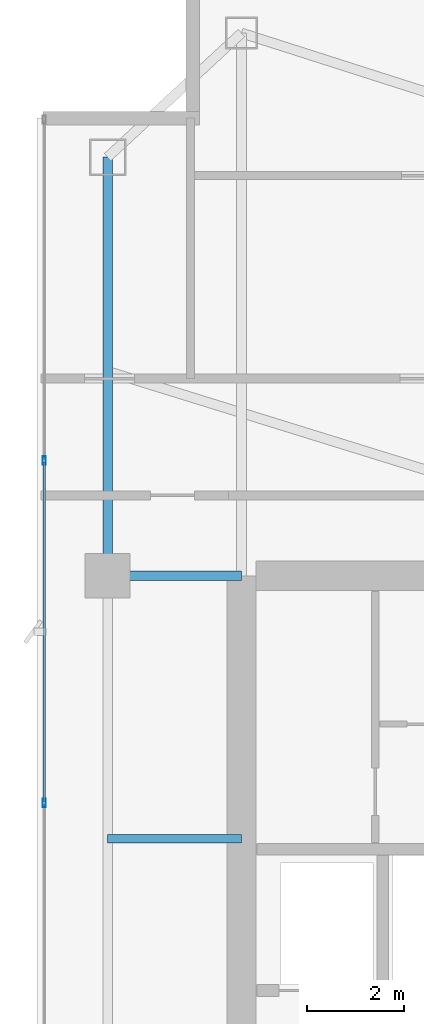
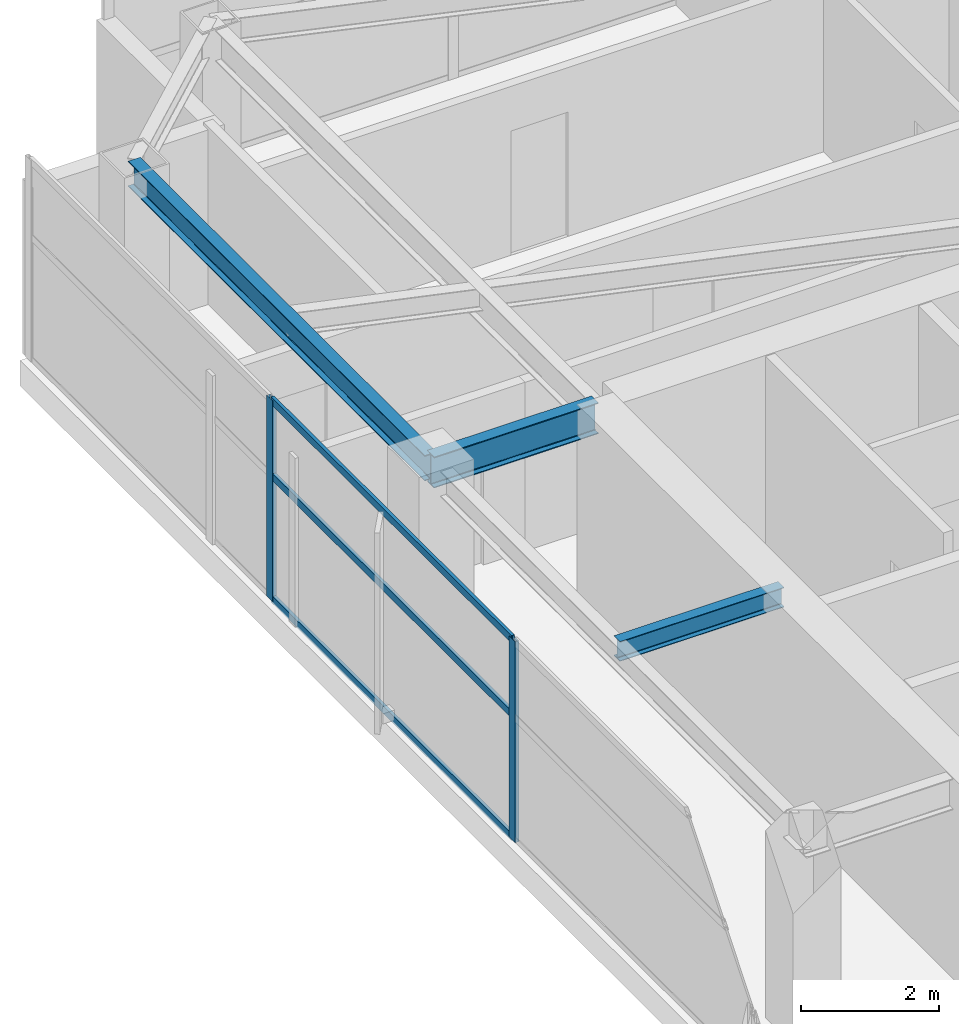
# One storey, part 16 of 27: 5 members, 3 beams, 1 element without a shape of its own.
"""IFC4 building model written with IfcOpenShell, lengths in metres."""

from ifc_helpers import new_model, si_unit, direction, frame, origin, origin_2d, place, context, subcontext, project, spatial, hollow_rectangle, i_section, extrude, material, layer, layer_set, material_profile, profile_set, type_object, element, aggregate, save


model = new_model("IFC4")

# Units and contexts
model_context = context("Model", 3, precision=1e-05, world=origin(), true_north=direction((0.0, 1.0)))
body_context = subcontext(model_context, "Body", "Model", "MODEL_VIEW")
ifc_project = project(units=[si_unit("LENGTHUNIT", "METRE"), si_unit("AREAUNIT", "SQUARE_METRE"), si_unit("VOLUMEUNIT", "CUBIC_METRE"), si_unit("PLANEANGLEUNIT", "RADIAN"), si_unit("MASSUNIT", "GRAM", prefix="KILO")], contexts=[model_context])

# Site, building, storey
site_placement = place(None, origin())
site = spatial("IfcSite", under=ifc_project, at=site_placement, CompositionType="ELEMENT")
building_placement = place(site_placement, origin())
building = spatial("IfcBuilding", under=site, at=building_placement, Name="Calvorn Quay Hotel", CompositionType="ELEMENT")
storey_placement = place(building_placement, frame((0.0, 0.0, 287.300048828125)))
storey = spatial("IfcBuildingStorey", under=building, at=storey_placement, Name="L71", CompositionType="ELEMENT", Elevation=287.300048828125)

# Beams
ifc_material_1 = material(Name="Steel Q355B", Category="steel")
ifc_material_profile_1 = material_profile(ifc_material_1, i_section(OverallWidth=0.199951171875, OverallDepth=0.550048828125, WebThickness=0.010009765625, FlangeThickness=0.01611328125, FilletRadius=0.01806640625, at=origin_2d()), Name="HN550x200x10x16")
ifc_profile_set_1 = profile_set([ifc_material_profile_1], Name="Steel Q355B")
beam_type_1 = type_object("IfcBeamType", Name="BM-GIRD-UPP", PredefinedType="BEAM", material=ifc_profile_set_1)
beam_1_placement = place(storey_placement, frame((1.449951171875, 38.39990234375, 3.264892578125), z_axis=(1.0, 0.0, 0.0), x_axis=(0.0, 1.0, 0.0)))
element("IfcBeam", 1, at=beam_1_placement, inside=storey, type_object=beam_type_1, Name="Beam BG-L71-W3", PredefinedType="BEAM", context=body_context, shape_type="SweptSolid", body=[
    extrude(i_section(OverallWidth=0.199951171875, OverallDepth=0.550048828125, WebThickness=0.010009765625, FlangeThickness=0.01611328125, FilletRadius=0.01806640625, at=origin_2d()), origin(), (0.0, 0.0, 1.0), 2.75),
])
ifc_material_2 = material(Name="Steel Q355B", Category="steel")
ifc_material_profile_2 = material_profile(ifc_material_2, i_section(OverallWidth=0.175048828125, OverallDepth=0.35009765625, WebThickness=0.007080078125, FlangeThickness=0.010986328125, FilletRadius=0.013916015625, at=origin_2d()), Name="HN350x175x7x11")
ifc_profile_set_2 = profile_set([ifc_material_profile_2], Name="Steel Q355B")
beam_type_2 = type_object("IfcBeamType", Name="BM-JOIST-SEC", PredefinedType="JOIST", material=ifc_profile_set_2)
beam_2_placement = place(storey_placement, frame((1.449951171875, 33.0, 3.364990234375), z_axis=(1.0, 0.0, 0.0), x_axis=(0.0, 1.0, 0.0)))
element("IfcBeam", 2, at=beam_2_placement, inside=storey, type_object=beam_type_2, Name="Beam BJ-L71-W4", PredefinedType="JOIST", context=body_context, shape_type="SweptSolid", body=[
    extrude(i_section(OverallWidth=0.175048828125, OverallDepth=0.35009765625, WebThickness=0.007080078125, FlangeThickness=0.010986328125, FilletRadius=0.013916015625, at=origin_2d()), origin(), (0.0, 0.0, 1.0), 2.75),
])
ifc_material_3 = material(Name="Steel Q355B", Category="steel")
ifc_material_profile_3 = material_profile(ifc_material_3, i_section(OverallWidth=0.199951171875, OverallDepth=0.449951171875, WebThickness=0.009033203125, FlangeThickness=0.013916015625, FilletRadius=0.01611328125, at=origin_2d()), Name="HN450x200x9x14")
ifc_profile_set_3 = profile_set([ifc_material_profile_3], Name="Steel Q355B")
beam_type_3 = type_object("IfcBeamType", Name="BM-SPANDREL-Z3", PredefinedType="SPANDREL", material=ifc_profile_set_3)
beam_3_placement = place(storey_placement, frame((1.449951171875, 38.39990234375, 3.31494140625), z_axis=(0.0, 1.0, 0.0), x_axis=(-1.0, 0.0, 0.0)))
element("IfcBeam", 3, at=beam_3_placement, inside=storey, type_object=beam_type_3, Name="Beam BSP-L71-W4", PredefinedType="SPANDREL", context=body_context, shape_type="SweptSolid", body=[
    extrude(i_section(OverallWidth=0.199951171875, OverallDepth=0.449951171875, WebThickness=0.009033203125, FlangeThickness=0.013916015625, FilletRadius=0.01611328125, at=origin_2d()), origin(), (0.0, 0.0, 1.0), 8.60009765625),
])

# Curtain wall, members
ifc_material_4 = material(Name="Champagne Bronze Anodised Aluminium and Low-E Glass", Category="aluminium")
ifc_layer = layer(ifc_material_4, 0.219970703125)
ifc_layer_set = layer_set([ifc_layer], Name="CW-SYS-Z4")
curtain_wall_type = type_object("IfcCurtainWallType", Name="CW-SYS-Z4", PredefinedType="NOTDEFINED", material=ifc_layer_set)
curtain_wall_placement = place(storey_placement, origin())
curtain_wall = element("IfcCurtainWall", 4, at=curtain_wall_placement, inside=storey, type_object=curtain_wall_type, Name="Tower West Curtain Wall (L71)", PredefinedType="NOTDEFINED")
ifc_material_5 = material(Name="Champagne Bronze Anodised Aluminium 6063-T6", Category="aluminium")
ifc_material_profile_4 = material_profile(ifc_material_5, hollow_rectangle(XDim=0.06494140625, YDim=0.169921875, WallThickness=0.00341796875, at=origin_2d()), Name="ALU-M170x65x3.5")
ifc_profile_set_4 = profile_set([ifc_material_profile_4], Name="Champagne Bronze Anodised Aluminium 6063-T6")
member_type_1 = type_object("IfcMemberType", Name="CW-SYS-Z4-MUL", PredefinedType="MULLION", material=ifc_profile_set_4)
member_1_placement = place(storey_placement, frame((0.14990234375, 33.7333984375, 0.0), z_axis=(0.0, 0.0, 1.0), x_axis=(-1.0, 0.0, 0.0)))
member_1 = element("IfcMember", 5, at=member_1_placement, type_object=member_type_1, Name="CW-L71-W mullion 5", PredefinedType="MULLION", context=body_context, shape_type="SweptSolid", body=[
    extrude(hollow_rectangle(XDim=0.06494140625, YDim=0.169921875, WallThickness=0.00341796875, at=origin_2d()), origin(), (0.0, 0.0, 1.0), 3.56005859375),
])
member_2_placement = place(storey_placement, frame((0.14990234375, 40.7666015625, 0.0), z_axis=(0.0, 0.0, 1.0), x_axis=(-1.0, 0.0, 0.0)))
member_2 = element("IfcMember", 6, at=member_2_placement, type_object=member_type_1, Name="CW-L71-W mullion 6", PredefinedType="MULLION", context=body_context, shape_type="SweptSolid", body=[
    extrude(hollow_rectangle(XDim=0.06494140625, YDim=0.169921875, WallThickness=0.00341796875, at=origin_2d()), origin(), (0.0, 0.0, 1.0), 3.56005859375),
])
ifc_material_6 = material(Name="Champagne Bronze Anodised Aluminium 6063-T6", Category="aluminium")
ifc_material_profile_5 = material_profile(ifc_material_6, hollow_rectangle(XDim=0.054931640625, YDim=0.1298828125, WallThickness=0.003173828125, at=origin_2d()), Name="ALU-T130x55x3.2")
ifc_profile_set_5 = profile_set([ifc_material_profile_5], Name="Champagne Bronze Anodised Aluminium 6063-T6")
member_type_2 = type_object("IfcMemberType", Name="CW-SYS-Z4-TRN", PredefinedType="USERDEFINED", material=ifc_profile_set_5)
member_3_placement = place(storey_placement, frame((0.14990234375, 33.763427734375, 0.030029296875), z_axis=(0.0, 1.0, 0.0), x_axis=(-1.0, 0.0, 0.0)))
member_3 = element("IfcMember", 7, at=member_3_placement, type_object=member_type_2, Name="CW-L71-W transom 5.1", ObjectType="TRANSOM", PredefinedType="USERDEFINED", context=body_context, shape_type="SweptSolid", body=[
    extrude(hollow_rectangle(XDim=0.054931640625, YDim=0.1298828125, WallThickness=0.003173828125, at=origin_2d()), origin(), (0.0, 0.0, 1.0), 6.97314453125),
])
member_4_placement = place(storey_placement, frame((0.14990234375, 33.763427734375, 2.199951171875), z_axis=(0.0, 1.0, 0.0), x_axis=(-1.0, 0.0, 0.0)))
member_4 = element("IfcMember", 8, at=member_4_placement, type_object=member_type_2, Name="CW-L71-W transom 5.2", ObjectType="TRANSOM", PredefinedType="USERDEFINED", context=body_context, shape_type="SweptSolid", body=[
    extrude(hollow_rectangle(XDim=0.054931640625, YDim=0.1298828125, WallThickness=0.003173828125, at=origin_2d()), origin(), (0.0, 0.0, 1.0), 6.97314453125),
])
member_5_placement = place(storey_placement, frame((0.14990234375, 33.763427734375, 3.530029296875), z_axis=(0.0, 1.0, 0.0), x_axis=(-1.0, 0.0, 0.0)))
member_5 = element("IfcMember", 9, at=member_5_placement, type_object=member_type_2, Name="CW-L71-W transom 5.3", ObjectType="TRANSOM", PredefinedType="USERDEFINED", context=body_context, shape_type="SweptSolid", body=[
    extrude(hollow_rectangle(XDim=0.054931640625, YDim=0.1298828125, WallThickness=0.003173828125, at=origin_2d()), origin(), (0.0, 0.0, 1.0), 6.97314453125),
])
aggregate(curtain_wall, [member_1, member_2, member_3, member_4, member_5])

save(model, "model.ifc")
